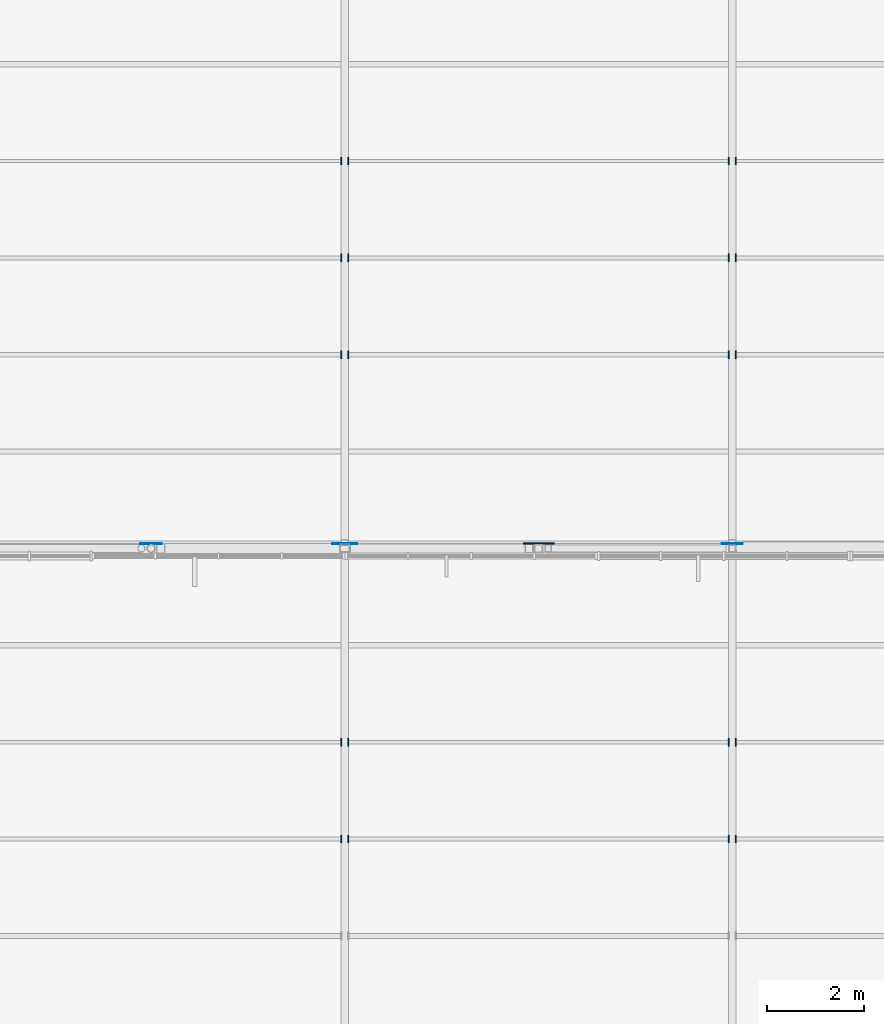
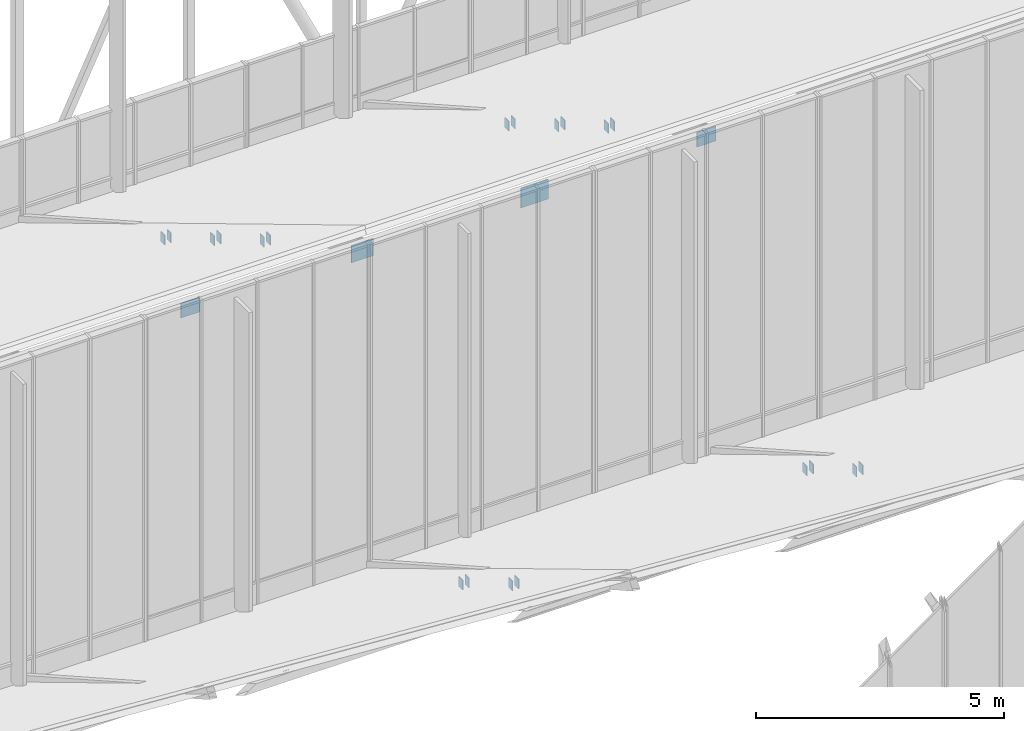
# One storey, part 94 of 155: 24 plates.
"""IFC4 building model written with IfcOpenShell, lengths in metres."""

from ifc_helpers import new_model, si_unit, direction, frame, origin, origin_2d, place, context, subcontext, project, spatial, rectangle, extrude, material, layer, layer_set, type_object, element, save


model = new_model("IFC4")

# Units and contexts
model_context = context("Model", 3, precision=1e-05, world=origin(), true_north=direction((0.0, 1.0)))
body_context = subcontext(model_context, "Body", "Model", "MODEL_VIEW")
ifc_project = project(units=[si_unit("LENGTHUNIT", "METRE"), si_unit("AREAUNIT", "SQUARE_METRE"), si_unit("VOLUMEUNIT", "CUBIC_METRE"), si_unit("PLANEANGLEUNIT", "RADIAN"), si_unit("MASSUNIT", "GRAM", prefix="KILO")], contexts=[model_context])

# Site, building, storey
site_placement = place(None, origin())
site = spatial("IfcSite", under=ifc_project, at=site_placement, CompositionType="ELEMENT")
building_placement = place(site_placement, origin())
building = spatial("IfcBuilding", under=site, at=building_placement, Name="Larkveld Mobility Hub", CompositionType="ELEMENT")
storey_placement = place(building_placement, frame((0.0, 0.0, 8.39990234375)))
storey = spatial("IfcBuildingStorey", under=building, at=storey_placement, Name="L02", CompositionType="ELEMENT", Elevation=8.39990234375)

# Plates
ifc_material = material(Name="Steel S355JR", Category="steel")
ifc_layer_1 = layer(ifc_material, 0.02001953125, Name="Steel S355JR", Category="steel")
ifc_layer_set_1 = layer_set([ifc_layer_1], Name="Steel S355JR")
plate_type_1 = type_object("IfcPlateType", Name="PT-EC02", PredefinedType="USERDEFINED", material=ifc_layer_set_1)
for number, where, z_axis, x_axis, name in (
    (1, (167.927978515625, 64.0, 3.20703125), (0.0, 0.0, 1.0), (1.0, 0.0, 0.0), "Hollow Purlin End Cap Plate PEC-139"),
    (2, (168.072021484375, 64.0, 3.20703125), (0.0, 0.0, 1.0), (1.0, 0.0, 0.0), "Hollow Purlin End Cap Plate PEC-140"),
    (3, (175.927978515625, 64.0, 3.20703125), (0.0, 0.0, 1.0), (1.0, 0.0, 0.0), "Hollow Purlin End Cap Plate PEC-141"),
    (4, (176.072021484375, 64.0, 3.20703125), (0.0, 0.0, 1.0), (1.0, 0.0, 0.0), "Hollow Purlin End Cap Plate PEC-142"),
    (5, (167.927978515625, 66.0, 2.01708984375), (0.0, 0.0, 1.0), (1.0, 0.0, 0.0), "Hollow Purlin End Cap Plate PEC-147"),
    (6, (168.072021484375, 66.0, 2.01708984375), (0.0, 0.0, 1.0), (1.0, 0.0, 0.0), "Hollow Purlin End Cap Plate PEC-148"),
    (7, (175.927978515625, 66.0, 2.01708984375), (0.0, 0.0, 1.0), (1.0, 0.0, 0.0), "Hollow Purlin End Cap Plate PEC-149"),
    (8, (176.072021484375, 66.0, 2.01708984375), (0.0, 0.0, 1.0), (1.0, 0.0, 0.0), "Hollow Purlin End Cap Plate PEC-150"),
    (9, (167.927978515625, 74.0, 5.5869140625), (0.0, 0.0, 1.0), (1.0, 0.0, 0.0), "Hollow Purlin End Cap Plate PEC-155"),
    (10, (168.072021484375, 74.0, 5.5869140625), (0.0, 0.0, 1.0), (1.0, 0.0, 0.0), "Hollow Purlin End Cap Plate PEC-156"),
    (11, (175.927978515625, 74.0, 5.5869140625), (0.0, 0.0, 1.0), (1.0, 0.0, 0.0), "Hollow Purlin End Cap Plate PEC-157"),
    (12, (176.072021484375, 74.0, 5.5869140625), (0.0, 0.0, 1.0), (1.0, 0.0, 0.0), "Hollow Purlin End Cap Plate PEC-158"),
    (13, (167.927978515625, 76.0, 4.4072265625), (0.0, 0.0, 1.0), (1.0, 0.0, 0.0), "Hollow Purlin End Cap Plate PEC-163"),
    (14, (168.072021484375, 76.0, 4.4072265625), (0.0, 0.0, 1.0), (1.0, 0.0, 0.0), "Hollow Purlin End Cap Plate PEC-164"),
    (15, (175.927978515625, 76.0, 4.4072265625), (0.0, 0.0, 1.0), (1.0, 0.0, 0.0), "Hollow Purlin End Cap Plate PEC-165"),
    (16, (176.072021484375, 76.0, 4.4072265625), (0.0, 0.0, 1.0), (1.0, 0.0, 0.0), "Hollow Purlin End Cap Plate PEC-166"),
    (17, (167.927978515625, 78.0, 3.21728515625), (0.0, 0.0, 1.0), (1.0, 0.0, 0.0), "Hollow Purlin End Cap Plate PEC-171"),
    (18, (168.072021484375, 78.0, 3.21728515625), (0.0, 0.0, 1.0), (1.0, 0.0, 0.0), "Hollow Purlin End Cap Plate PEC-172"),
    (19, (175.927978515625, 78.0, 3.21728515625), (0.0, 0.0, 1.0), (1.0, 0.0, 0.0), "Hollow Purlin End Cap Plate PEC-173"),
    (20, (176.072021484375, 78.0, 3.21728515625), (0.0, 0.0, 1.0), (1.0, 0.0, 0.0), "Hollow Purlin End Cap Plate PEC-174"),
):
    element("IfcPlate", number, at=place(storey_placement, frame(where, z_axis=z_axis, x_axis=x_axis)), inside=storey, type_object=plate_type_1, Name=name, ObjectType="GUSSET PLATE", PredefinedType="USERDEFINED", context=body_context, shape_type="SweptSolid", body=[
        extrude(rectangle(XDim=0.02001953125, YDim=0.159912109375, at=origin_2d()), origin(), (0.0, 0.0, 1.0), 0.239990234375),
    ])
ifc_layer_2 = layer(ifc_material, 0.02001953125, Name="Steel S355JR", Category="steel")
ifc_layer_set_2 = layer_set([ifc_layer_2], Name="Steel S355JR")
plate_type_2 = type_object("IfcPlateType", Name="PT-GS01", PredefinedType="USERDEFINED", material=ifc_layer_set_2)
plate_1_placement = place(storey_placement, frame((168.0, 70.10009765625, 7.590087890625), z_axis=(0.0, 0.0, 1.0), x_axis=(1.0, 0.0, 0.0)))
element("IfcPlate", 21, at=plate_1_placement, inside=storey, type_object=plate_type_2, Name="Truss Node Gusset Plate TN-031", ObjectType="GUSSET PLATE", PredefinedType="USERDEFINED", context=body_context, shape_type="SweptSolid", body=[
    extrude(rectangle(XDim=0.52001953125, YDim=0.02001953125, at=origin_2d()), origin(), (0.0, 0.0, 1.0), 0.419921875),
])
ifc_layer_3 = layer(ifc_material, 0.02392578125, Name="Steel S355JR", Category="steel")
ifc_layer_set_3 = layer_set([ifc_layer_3], Name="Steel S355JR")
plate_type_3 = type_object("IfcPlateType", Name="PT-GS02", PredefinedType="USERDEFINED", material=ifc_layer_set_3)
plate_2_placement = place(storey_placement, frame((172.0, 70.10009765625, 7.56005859375), z_axis=(0.0, 0.0, 1.0), x_axis=(1.0, 0.0, 0.0)))
element("IfcPlate", 22, at=plate_2_placement, inside=storey, type_object=plate_type_3, Name="Truss Node Gusset Plate TN-032", ObjectType="GUSSET PLATE", PredefinedType="USERDEFINED", context=body_context, shape_type="SweptSolid", body=[
    extrude(rectangle(XDim=0.639892578125, YDim=0.02392578125, at=origin_2d()), origin(), (0.0, 0.0, 1.0), 0.47998046875),
])
ifc_layer_4 = layer(ifc_material, 0.01806640625, Name="Steel S355JR", Category="steel")
ifc_layer_set_4 = layer_set([ifc_layer_4], Name="Steel S355JR")
plate_type_4 = type_object("IfcPlateType", Name="PT-GS03", PredefinedType="USERDEFINED", material=ifc_layer_set_4)
for number, where, z_axis, x_axis, name in (
    (23, (164.0, 70.10009765625, 7.6201171875), (0.0, 0.0, 1.0), (1.0, 0.0, 0.0), "Truss Node Gusset Plate TN-030"),
    (24, (176.0, 70.10009765625, 7.6201171875), (0.0, 0.0, 1.0), (1.0, 0.0, 0.0), "Truss Node Gusset Plate TN-033"),
):
    element("IfcPlate", number, at=place(storey_placement, frame(where, z_axis=z_axis, x_axis=x_axis)), inside=storey, type_object=plate_type_4, Name=name, ObjectType="GUSSET PLATE", PredefinedType="USERDEFINED", context=body_context, shape_type="SweptSolid", body=[
        extrude(rectangle(XDim=0.43994140625, YDim=0.01806640625, at=origin_2d()), origin(), (0.0, 0.0, 1.0), 0.360107421875),
    ])

save(model, "model.ifc")
